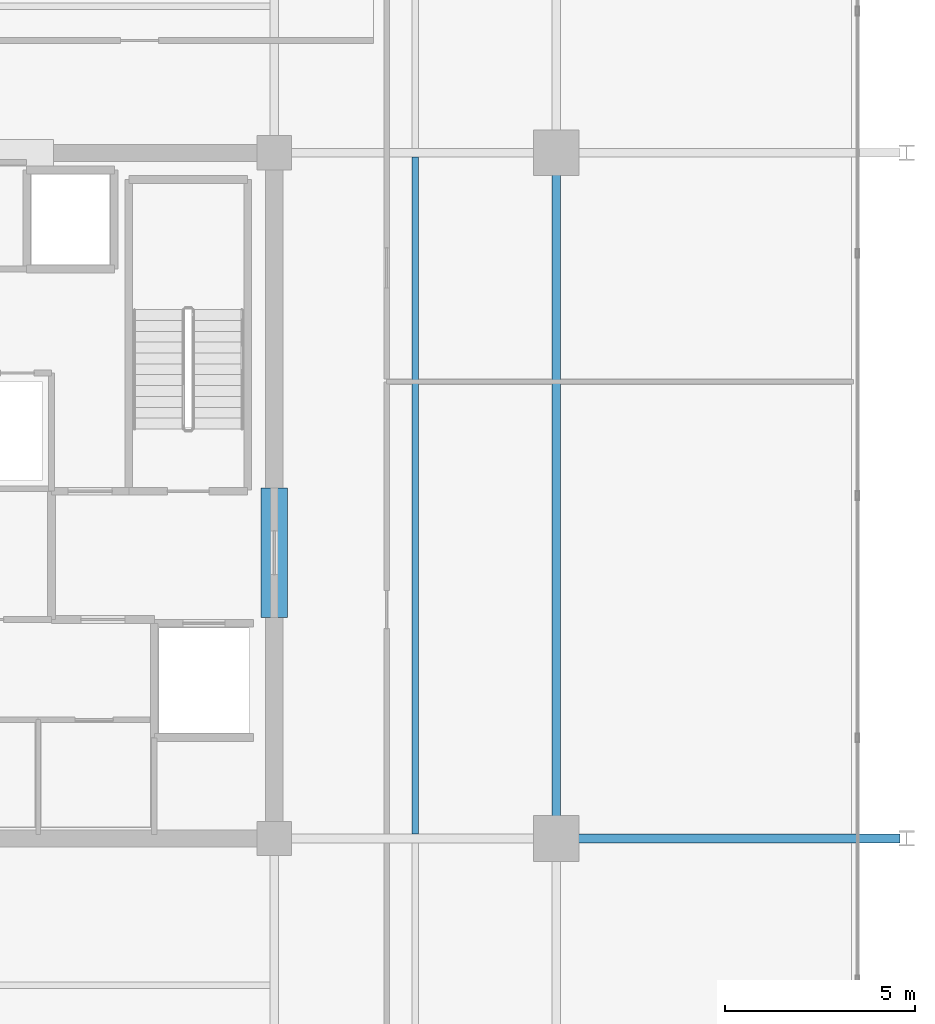
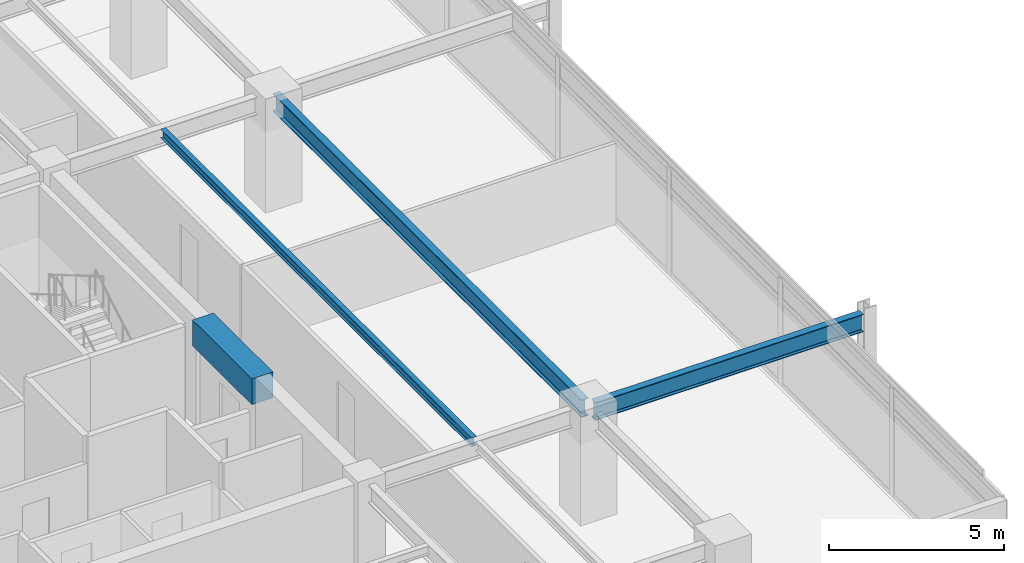
# One storey, part 8 of 23: 4 beams.
"""IFC4 building model written with IfcOpenShell, lengths in metres."""

from ifc_helpers import new_model, si_unit, direction, frame, origin, origin_2d, place, context, subcontext, project, spatial, rectangle, i_section, extrude, material, material_profile, profile_set, type_object, element, save


model = new_model("IFC4")

# Units and contexts
model_context = context("Model", 3, precision=1e-05, world=origin(), true_north=direction((0.0, 1.0)))
body_context = subcontext(model_context, "Body", "Model", "MODEL_VIEW")
ifc_project = project(units=[si_unit("LENGTHUNIT", "METRE"), si_unit("AREAUNIT", "SQUARE_METRE"), si_unit("VOLUMEUNIT", "CUBIC_METRE"), si_unit("PLANEANGLEUNIT", "RADIAN"), si_unit("MASSUNIT", "GRAM", prefix="KILO")], contexts=[model_context])

# Site, building, storey
site_placement = place(None, origin())
site = spatial("IfcSite", under=ifc_project, at=site_placement, CompositionType="ELEMENT")
building_placement = place(site_placement, origin())
building = spatial("IfcBuilding", under=site, at=building_placement, Name="Kovane Verandah Tower", CompositionType="ELEMENT")
storey_placement = place(building_placement, frame((0.0, 0.0, 243.199951171875)))
storey = spatial("IfcBuildingStorey", under=building, at=storey_placement, Name="L56", CompositionType="ELEMENT", Elevation=243.199951171875)

# Beams
ifc_material_1 = material(Name="Concrete C60/75", Category="concrete")
ifc_material_profile_1 = material_profile(ifc_material_1, rectangle(XDim=0.699951171875, YDim=0.89990234375, at=origin_2d()), Name="RCB700x900")
ifc_profile_set_1 = profile_set([ifc_material_profile_1], Name="Concrete C60/75")
beam_type_1 = type_object("IfcBeamType", Name="BM-LINTEL-700x900", PredefinedType="LINTEL", material=ifc_profile_set_1)
beam_1_placement = place(storey_placement, frame((51.0, 24.300048828125, 3.3349609375), z_axis=(0.0, 1.0, 0.0), x_axis=(-1.0, 0.0, 0.0)))
element("IfcBeam", 1, at=beam_1_placement, inside=storey, type_object=beam_type_1, Name="L56 Core Coupling Lintel CL-E", PredefinedType="LINTEL", context=body_context, shape_type="SweptSolid", body=[
    extrude(rectangle(XDim=0.699951171875, YDim=0.89990234375, at=origin_2d()), origin(), (0.0, 0.0, 1.0), 3.39990234375),
])
ifc_material_2 = material(Name="Steel S355", Category="steel")
ifc_material_profile_2 = material_profile(ifc_material_2, i_section(OverallWidth=0.230224609375, OverallDepth=0.6171875, WebThickness=0.01318359375, FlangeThickness=0.022216796875, FilletRadius=0.0126953125, at=origin_2d()), Name="UB610x229x140")
ifc_profile_set_2 = profile_set([ifc_material_profile_2], Name="Steel S355")
beam_type_2 = type_object("IfcBeamType", Name="BM-UB610x140", PredefinedType="BEAM", material=ifc_profile_set_2)
beam_2_placement = place(storey_placement, frame((58.39990234375, 18.679931640625, 3.4765625), z_axis=(0.0, 1.0, 0.0), x_axis=(-1.0, 0.0, 0.0)))
element("IfcBeam", 2, at=beam_2_placement, inside=storey, type_object=beam_type_2, Name="L56 Primary Tower Girder G-RE2", PredefinedType="BEAM", context=body_context, shape_type="SweptSolid", body=[
    extrude(i_section(OverallWidth=0.230224609375, OverallDepth=0.6171875, WebThickness=0.01318359375, FlangeThickness=0.022216796875, FilletRadius=0.0126953125, at=origin_2d()), origin(), (0.0, 0.0, 1.0), 17.64013671875),
])
beam_3_placement = place(storey_placement, frame((58.580078125, 18.5, 3.451416015625), z_axis=(1.0, 0.0, 0.0), x_axis=(0.0, 1.0, 0.0)))
element("IfcBeam", 3, at=beam_3_placement, inside=storey, type_object=beam_type_2, Name="L56 Primary Tower Girder G-VE1", PredefinedType="BEAM", context=body_context, shape_type="SweptSolid", body=[
    extrude(i_section(OverallWidth=0.230224609375, OverallDepth=0.6171875, WebThickness=0.01318359375, FlangeThickness=0.022216796875, FilletRadius=0.0126953125, at=origin_2d()), origin(), (0.0, 0.0, 1.0), 8.83984375),
])
ifc_material_profile_3 = material_profile(ifc_material_2, i_section(OverallWidth=0.1669921875, OverallDepth=0.310302734375, WebThickness=0.0078125, FlangeThickness=0.013671875, FilletRadius=0.0087890625, at=origin_2d()), Name="UB305x165x54")
ifc_profile_set_3 = profile_set([ifc_material_profile_3], Name="Steel S355")
beam_type_3 = type_object("IfcBeamType", Name="JST-UB305x54", PredefinedType="JOIST", material=ifc_profile_set_3)
beam_4_placement = place(storey_placement, frame((54.699951171875, 18.613037109375, 3.6298828125), z_axis=(0.0, 1.0, 0.0), x_axis=(-1.0, 0.0, 0.0)))
element("IfcBeam", 4, at=beam_4_placement, inside=storey, type_object=beam_type_3, Name="L56 Secondary Composite Joist J-E1", PredefinedType="JOIST", context=body_context, shape_type="SweptSolid", body=[
    extrude(i_section(OverallWidth=0.1669921875, OverallDepth=0.310302734375, WebThickness=0.0078125, FlangeThickness=0.013671875, FilletRadius=0.0087890625, at=origin_2d()), origin(), (0.0, 0.0, 1.0), 17.77392578125),
])

save(model, "model.ifc")
